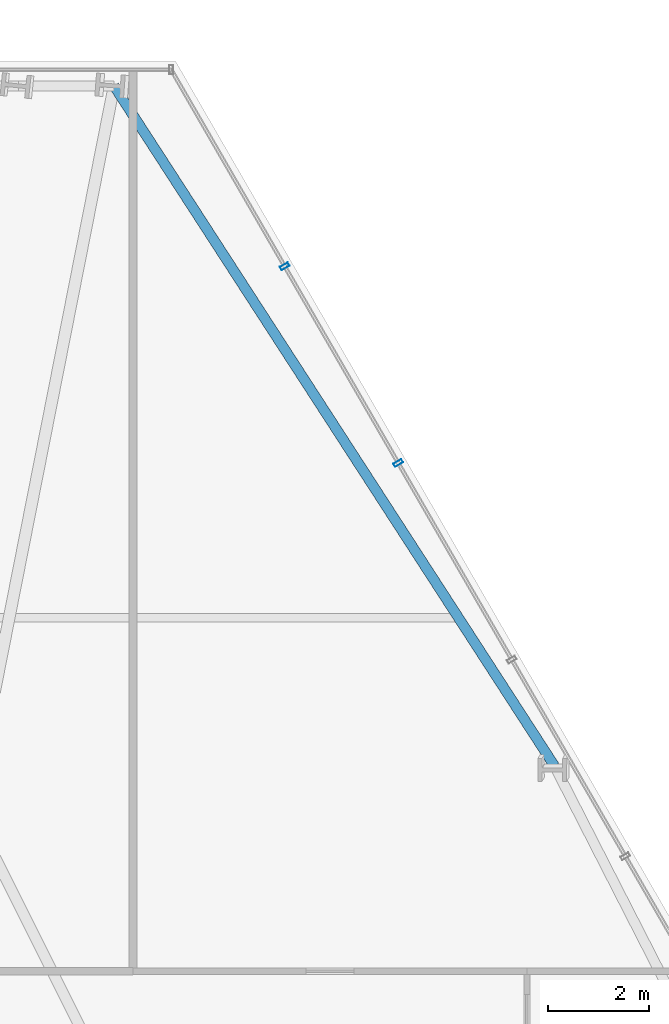
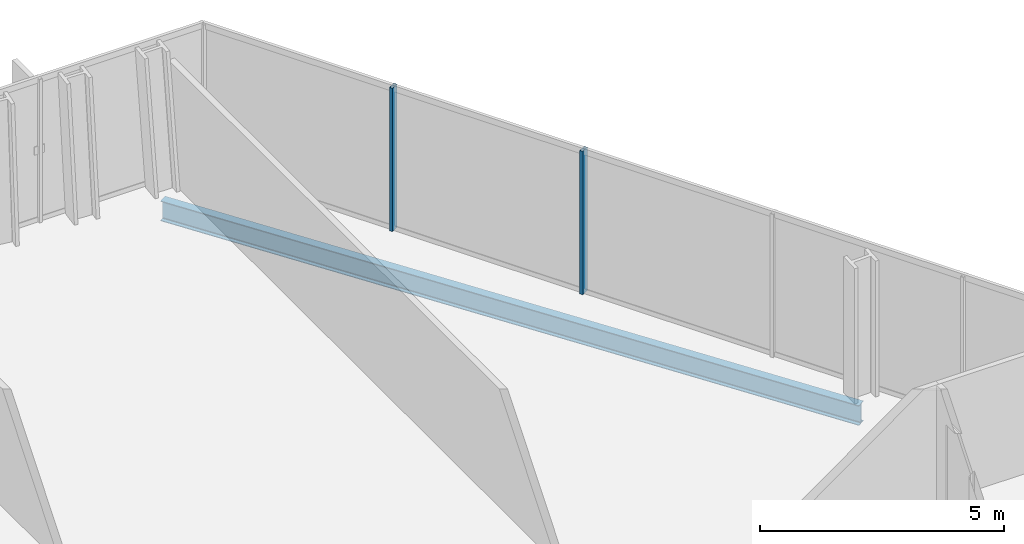
# One storey, part 24 of 32: 2 members, 1 beam, 1 element without a shape of its own.
"""IFC4 building model written with IfcOpenShell, lengths in metres."""

from ifc_helpers import new_model, si_unit, direction, frame, origin, origin_2d, place, context, subcontext, project, spatial, hollow_rectangle, i_section, extrude, material, layer, layer_set, material_profile, profile_set, type_object, element, aggregate, save


model = new_model("IFC4")

# Units and contexts
model_context = context("Model", 3, precision=1e-05, world=origin(), true_north=direction((0.0, 1.0)))
body_context = subcontext(model_context, "Body", "Model", "MODEL_VIEW")
ifc_project = project(units=[si_unit("LENGTHUNIT", "METRE"), si_unit("AREAUNIT", "SQUARE_METRE"), si_unit("VOLUMEUNIT", "CUBIC_METRE"), si_unit("PLANEANGLEUNIT", "RADIAN"), si_unit("MASSUNIT", "GRAM", prefix="KILO")], contexts=[model_context])

# Site, building, storey
site_placement = place(None, origin())
site = spatial("IfcSite", under=ifc_project, at=site_placement, CompositionType="ELEMENT")
building_placement = place(site_placement, origin())
building = spatial("IfcBuilding", under=site, at=building_placement, Name="Ndaravel Arena Tower", CompositionType="ELEMENT")
storey_placement = place(building_placement, frame((0.0, 0.0, 66.39990234375)))
storey = spatial("IfcBuildingStorey", under=building, at=storey_placement, Name="L14", CompositionType="ELEMENT", Elevation=66.39990234375)

# Beam
ifc_material_1 = material(Name="Steel S355", Category="steel")
ifc_material_profile_1 = material_profile(ifc_material_1, i_section(OverallWidth=0.199951171875, OverallDepth=0.5, WebThickness=0.01025390625, FlangeThickness=0.01611328125, FilletRadius=0.02099609375, at=origin_2d()), Name="IPE 500")
ifc_profile_set_1 = profile_set([ifc_material_profile_1], Name="Steel S355")
beam_type = type_object("IfcBeamType", Name="BM-SPAN-IPE500", PredefinedType="SPANDREL", material=ifc_profile_set_1)
beam_placement = place(storey_placement, frame((57.346435546875, 32.060791015625, -0.469970703125), z_axis=(-0.543579319439, 0.839357804204, 0.0), x_axis=(-0.839357804204, -0.543579319439, 0.0)))
element("IfcBeam", 1, at=beam_placement, inside=storey, type_object=beam_type, Name="L14 Perimeter Spandrel Beam SP-10", PredefinedType="SPANDREL", context=body_context, shape_type="SweptSolid", body=[
    extrude(i_section(OverallWidth=0.199951171875, OverallDepth=0.5, WebThickness=0.01025390625, FlangeThickness=0.01611328125, FilletRadius=0.02099609375, at=origin_2d()), origin(), (0.0, 0.0, 1.0), 16.04443359375),
])

# Curtain wall, members
ifc_material_2 = material(Name="Aluminium", Category="aluminium")
ifc_layer = layer(ifc_material_2, 0.179931640625)
ifc_layer_set = layer_set([ifc_layer], Name="Aluminium")
curtain_wall_type = type_object("IfcCurtainWallType", Name="CW-SYS-03", PredefinedType="NOTDEFINED", material=ifc_layer_set)
curtain_wall_placement = place(storey_placement, origin())
curtain_wall = element("IfcCurtainWall", 2, at=curtain_wall_placement, inside=storey, type_object=curtain_wall_type, Name="L14 Faceted Crystal Curtain Wall CW-L14-E03", PredefinedType="NOTDEFINED")
ifc_material_3 = material(Name="Aluminium", Category="aluminium")
ifc_material_profile_2 = material_profile(ifc_material_3, hollow_rectangle(XDim=0.074951171875, YDim=0.179931640625, WallThickness=0.00390625, at=origin_2d()), Name="CW MULLION 75x180x4")
ifc_profile_set_2 = profile_set([ifc_material_profile_2], Name="Aluminium")
member_type = type_object("IfcMemberType", Name="MEM-CW-MUL180", PredefinedType="MULLION", material=ifc_profile_set_2)
member_1_placement = place(storey_placement, frame((54.251708984375, 38.06103515625, 0.0), z_axis=(0.0, 0.0, 1.0), x_axis=(-0.5, 0.866025403784, 0.0)))
member_1 = element("IfcMember", 3, at=member_1_placement, type_object=member_type, Name="CW-L14-E03 Mullion 05", PredefinedType="MULLION", context=body_context, shape_type="SweptSolid", body=[
    extrude(hollow_rectangle(XDim=0.074951171875, YDim=0.179931640625, WallThickness=0.00390625, at=origin_2d()), origin(), (0.0, 0.0, 1.0), 3.580078125),
])
member_2_placement = place(storey_placement, frame((52.00390625, 41.95458984375, 0.0), z_axis=(0.0, 0.0, 1.0), x_axis=(-0.5, 0.866025403784, 0.0)))
member_2 = element("IfcMember", 4, at=member_2_placement, type_object=member_type, Name="CW-L14-E03 Mullion 06", PredefinedType="MULLION", context=body_context, shape_type="SweptSolid", body=[
    extrude(hollow_rectangle(XDim=0.074951171875, YDim=0.179931640625, WallThickness=0.00390625, at=origin_2d()), origin(), (0.0, 0.0, 1.0), 3.580078125),
])
aggregate(curtain_wall, [member_1, member_2])

save(model, "model.ifc")
